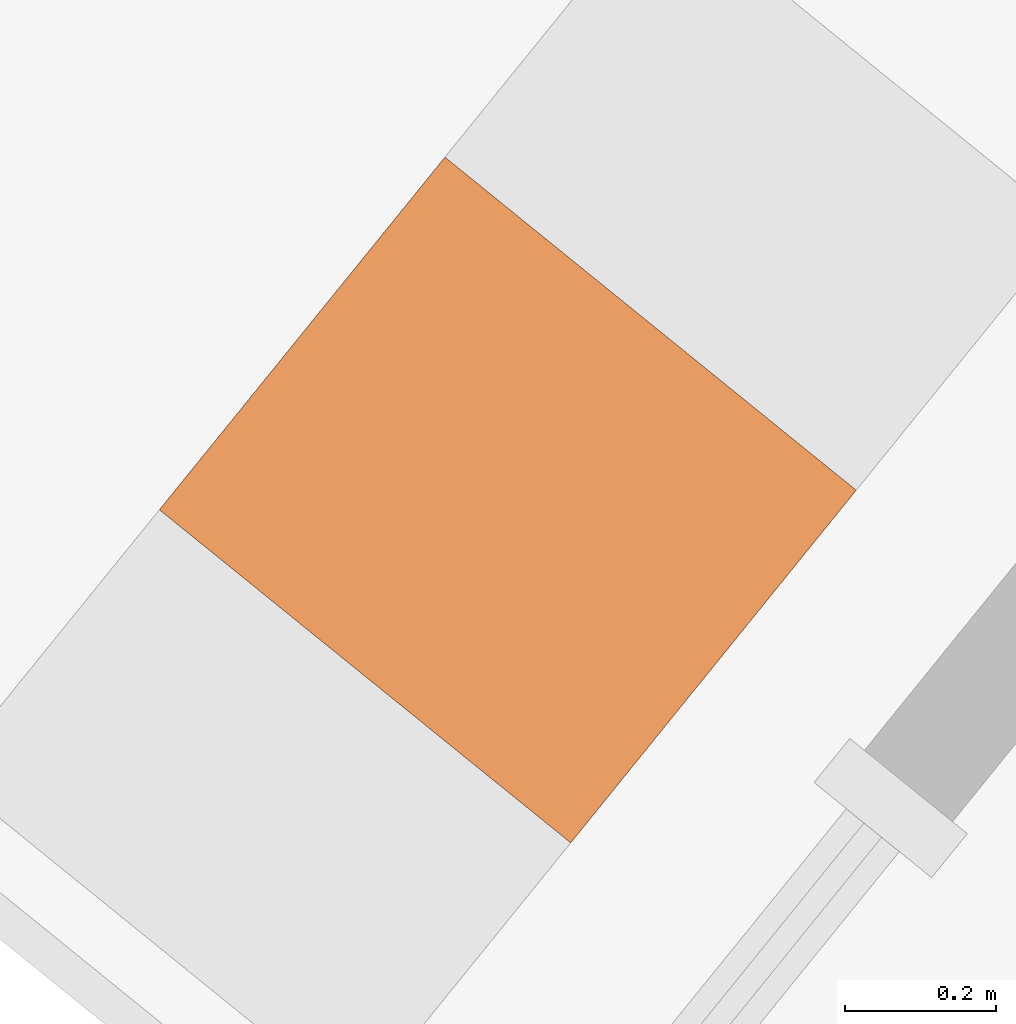
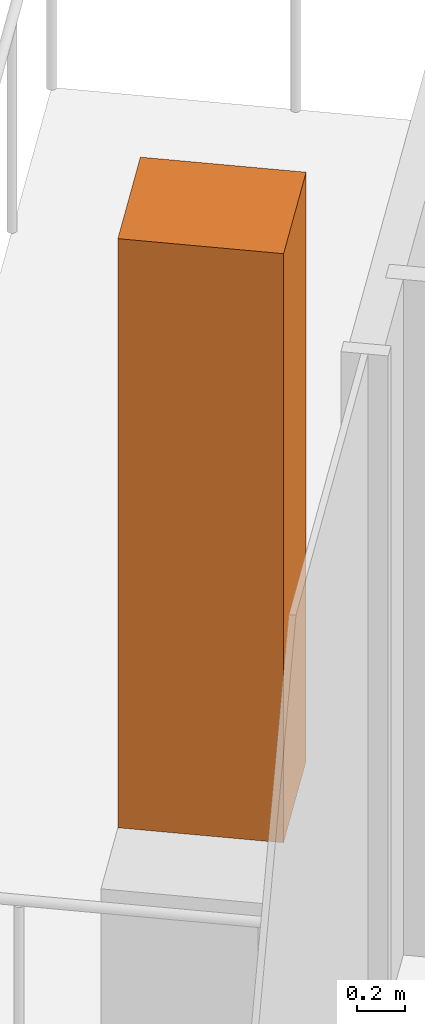
# One storey, part 22 of 22: 1 geographic element.
"""IFC4 building model written with IfcOpenShell, lengths in metres."""

from ifc_helpers import new_model, si_unit, direction, frame, origin, origin_2d, place, context, subcontext, project, spatial, rectangle, extrude, source, transform, mapped, material, type_object, element, save


model = new_model("IFC4")

# Units and contexts
model_context = context("Model", 3, precision=1e-05, world=origin(), true_north=direction((0.0, 1.0)))
body_context = subcontext(model_context, "Body", "Model", "MODEL_VIEW")
ifc_project = project(units=[si_unit("LENGTHUNIT", "METRE"), si_unit("AREAUNIT", "SQUARE_METRE"), si_unit("VOLUMEUNIT", "CUBIC_METRE"), si_unit("PLANEANGLEUNIT", "RADIAN"), si_unit("MASSUNIT", "GRAM", prefix="KILO")], contexts=[model_context])

# Site, building, storey
site_placement = place(None, origin())
site = spatial("IfcSite", under=ifc_project, at=site_placement, CompositionType="ELEMENT")
building_placement = place(site_placement, origin())
building = spatial("IfcBuilding", under=site, at=building_placement, Name="Triune Harvest Tower", CompositionType="ELEMENT")
storey_placement = place(building_placement, frame((0.0, 0.0, 153.300048828125)))
storey = spatial("IfcBuildingStorey", under=building, at=storey_placement, Name="L39", CompositionType="ELEMENT", Elevation=153.300048828125)

# Geographic element
ifc_material = material(Name="TREE-1 tree")
geographic_element_type = type_object("IfcGeographicElementType", Name="TREE-1 tree", PredefinedType="USERDEFINED", material=ifc_material)
shared_shape = source(origin(), body_context, "Body", "SweptSolid", [
    extrude(rectangle(XDim=0.60009765625, YDim=0.699951171875, at=origin_2d()), origin(), (0.0, 0.0, 1.0), 3.0),
])
geographic_element_placement = place(storey_placement, frame((-27.748291015625, 0.693115234375, 1.099853515625), z_axis=(0.0, 0.0, 1.0), x_axis=(-0.629321459087, -0.777145096577, 0.0)))
element("IfcGeographicElement", 1, at=geographic_element_placement, inside=storey, type_object=geographic_element_type, Name="Tree B4-F3 L39.10b", ObjectType="TREE", PredefinedType="USERDEFINED", context=body_context, shape_type="MappedRepresentation", body=[
    mapped(shared_shape, transform((0.0, 0.0, 0.0), scale=1.0)),
])

save(model, "model.ifc")
